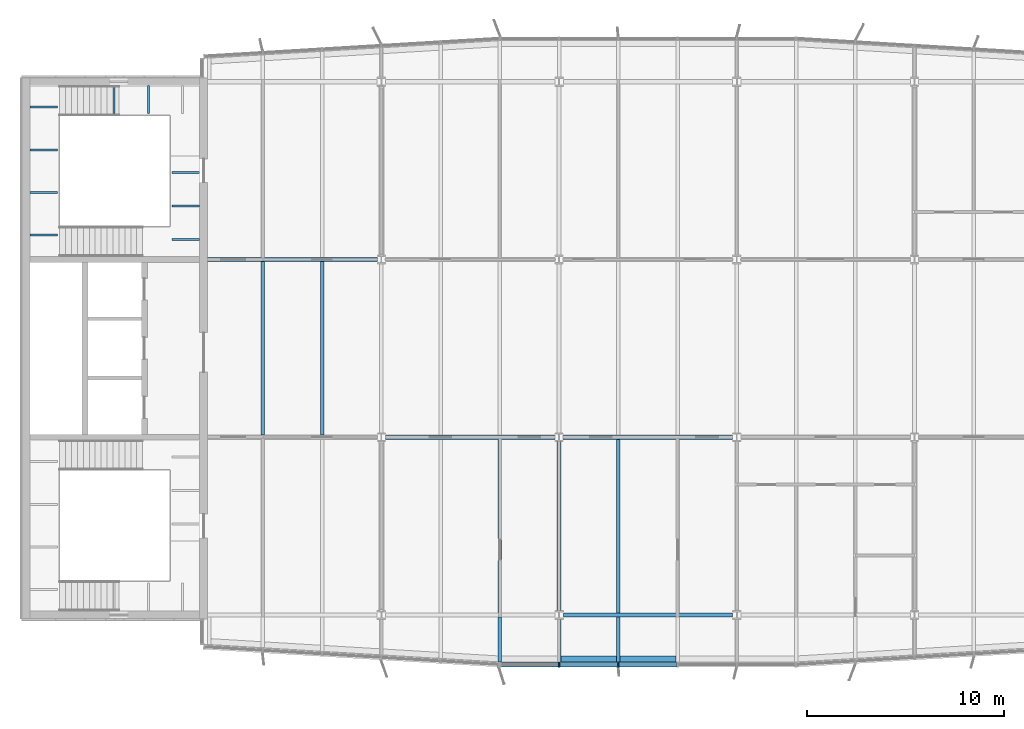
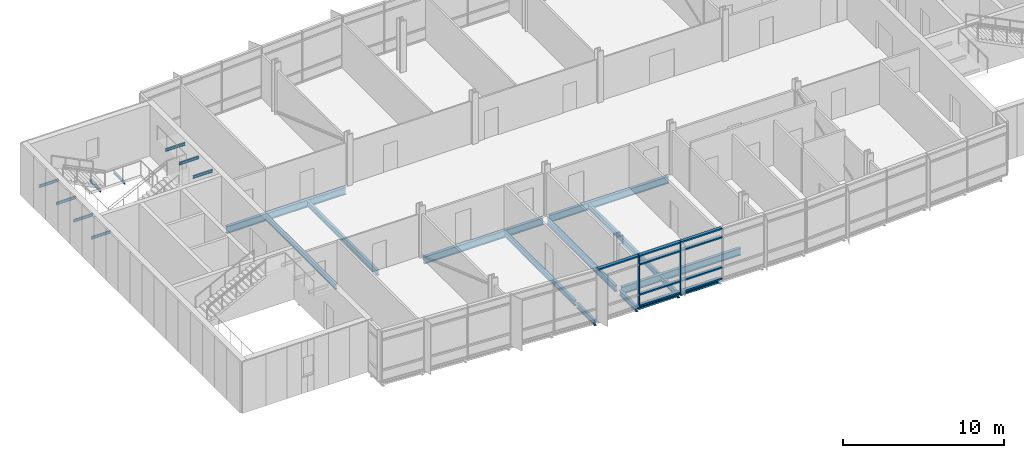
# One storey, part 3 of 17: 23 beams, 11 members, 1 element without a shape of its own.
"""IFC4 building model written with IfcOpenShell, lengths in metres."""

import ifcopenshell
import ifcopenshell.guid

model = None  # the IFC model being written
_history = None  # IfcOwnerHistory: only IFC2X3 demands one
_inside = {}  # id of a spatial element -> (the spatial element, [elements in it])
_under = {}  # id of a project, library or spatial element -> (it, [spatial elements below it])
_declared = {}  # id of a project -> (the project, [libraries it declares])
_typed = {}  # id of a type object -> (the type object, [elements of that type])
_made_of = {}  # id of a material, layer set ... -> (it, [elements and type objects made of it])


def new_model(schema):
    """Start an empty IFC model of exactly this schema.

    Asked for "IFC4X3", IfcOpenShell would pick the latest addendum, in which some entities
    have other attributes; the version numbers below select the first issue.
    IFC2X3 requires an IfcOwnerHistory on every rooted entity: one is made here for all.
    """
    global model, _history
    if schema == "IFC4X3":
        model = ifcopenshell.file(schema_version=(4, 3, 0, 0))
    else:
        model = ifcopenshell.file(schema=schema)
    _inside.clear()
    _under.clear()
    _declared.clear()
    _typed.clear()
    _made_of.clear()
    _history = None
    if model.schema == "IFC2X3":
        org = make("IfcOrganization", Name="unknown")
        user = make(
            "IfcPersonAndOrganization",
            ThePerson=make("IfcPerson", FamilyName="unknown"),
            TheOrganization=org,
        )
        app = make(
            "IfcApplication",
            ApplicationDeveloper=org,
            Version="unknown",
            ApplicationFullName="unknown",
            ApplicationIdentifier="unknown",
        )
        _history = make(
            "IfcOwnerHistory",
            OwningUser=user,
            OwningApplication=app,
            ChangeAction="ADDED",
            CreationDate=0,
        )
    return model


def make(cls, **values):
    """One entity of the class cls with the attributes given. An attribute that is None is left unset."""
    return model.create_entity(
        cls, **{name: value for name, value in values.items() if value is not None}
    )


def rooted(cls, **values):
    """An entity with a GlobalId (a new one), such as an element, a storey or a relation."""
    return make(cls, GlobalId=ifcopenshell.guid.new(), OwnerHistory=_history, **values)


def si_unit(unit_type, name, prefix=None):
    """IfcSIUnit, for example si_unit("LENGTHUNIT", "METRE", prefix="MILLI")."""
    return make("IfcSIUnit", UnitType=unit_type, Prefix=prefix, Name=name)


def assignment(units):
    """IfcUnitAssignment: the units of a project."""
    return None if units is None else make("IfcUnitAssignment", Units=units)


def point(xyz):
    """IfcCartesianPoint."""
    return None if xyz is None else make("IfcCartesianPoint", Coordinates=xyz)


def direction(xyz):
    """IfcDirection."""
    return None if xyz is None else make("IfcDirection", DirectionRatios=xyz)


def frame(location, z_axis=None, x_axis=None):
    """IfcAxis2Placement3D, a coordinate frame: its origin and axes. An axis left out is left unset."""
    return make(
        "IfcAxis2Placement3D",
        Location=point(location),
        Axis=direction(z_axis),
        RefDirection=direction(x_axis),
    )


def frame_2d(location, x_axis=None):
    """IfcAxis2Placement2D, a coordinate frame in the plane: its origin and x axis."""
    return make(
        "IfcAxis2Placement2D", Location=point(location), RefDirection=direction(x_axis)
    )


def origin():
    """The frame at (0, 0, 0) with its axes left unset."""
    return frame((0.0, 0.0, 0.0))


def origin_2d():
    """The frame at (0, 0) in the plane with its x axis left unset."""
    return frame_2d((0.0, 0.0))


def place(relative_to, where):
    """IfcLocalPlacement: puts the frame where relative to a parent placement (None: the world)."""
    return make(
        "IfcLocalPlacement", PlacementRelTo=relative_to, RelativePlacement=where
    )


def context(
    kind, dimensions, precision=None, world=None, true_north=None, identifier=None
):
    """IfcGeometricRepresentationContext, for example the 3D "Model" context."""
    return make(
        "IfcGeometricRepresentationContext",
        ContextIdentifier=identifier,
        ContextType=kind,
        CoordinateSpaceDimension=dimensions,
        Precision=precision,
        WorldCoordinateSystem=world,
        TrueNorth=true_north,
    )


def subcontext(parent, identifier, kind, view, scale=None):
    """IfcGeometricRepresentationSubContext, for example "Body" below "Model"."""
    return make(
        "IfcGeometricRepresentationSubContext",
        ContextIdentifier=identifier,
        ContextType=kind,
        ParentContext=parent,
        TargetScale=scale,
        TargetView=view,
    )


def project(units=None, contexts=None):
    """IfcProject with its units and contexts."""
    return rooted(
        "IfcProject",
        Name="project",
        RepresentationContexts=contexts,
        UnitsInContext=assignment(units),
    )


def spatial(cls, under=None, at=None, **own):
    """A site, building, storey or space (cls), placed at a placement, below another one or the project."""
    s = rooted(cls, ObjectPlacement=at, **own)
    if under is not None:
        _under.setdefault(under.id(), (under, []))[1].append(s)
    return s


def profile(cls, at=None, kind="AREA", **sizes):
    """A parametric profile (cls). Its sizes go by their IFC names, for example OverallWidth=200.0."""
    return make(cls, ProfileType=kind, Position=at, **sizes)


def rectangle(**sizes):
    """IfcRectangleProfileDef."""
    return profile("IfcRectangleProfileDef", **sizes)


def i_section(**sizes):
    """IfcIShapeProfileDef."""
    return profile("IfcIShapeProfileDef", **sizes)


def extrude(swept, where, along, depth):
    """IfcExtrudedAreaSolid: the profile swept, set in the frame where, extruded along a direction by depth."""
    return make(
        "IfcExtrudedAreaSolid",
        SweptArea=swept,
        Position=where,
        ExtrudedDirection=direction(along),
        Depth=depth,
    )


def shape(context_of_items, identifier, shape_type, items):
    """IfcShapeRepresentation: the items that make up one representation, for example the "Body"."""
    return make(
        "IfcShapeRepresentation",
        ContextOfItems=context_of_items,
        RepresentationIdentifier=identifier,
        RepresentationType=shape_type,
        Items=items,
    )


def material(Name=None, Category=None):
    """IfcMaterial."""
    return make("IfcMaterial", Name=Name, Category=Category)


def material_profile(
    of_material, cross_section, Name=None, Category=None, Priority=None
):
    """IfcMaterialProfile: a cross section and its material."""
    return make(
        "IfcMaterialProfile",
        Name=Name,
        Material=of_material,
        Profile=cross_section,
        Priority=Priority,
        Category=Category,
    )


def profile_set(profiles, Name=None, composite=None):
    """IfcMaterialProfileSet."""
    return make(
        "IfcMaterialProfileSet",
        Name=Name,
        MaterialProfiles=profiles,
        CompositeProfile=composite,
    )


def made_of(thing, what):
    """Note that an element or type object is made of a material, layer set ...; save() writes the relation."""
    if what is not None:
        _made_of.setdefault(what.id(), (what, []))[1].append(thing)
    return thing


def type_object(cls, material=None, **own):
    """A type object (cls), such as IfcWallType, which elements share."""
    return made_of(rooted(cls, **own), material)


def element(
    cls,
    number,
    at=None,
    inside=None,
    cuts=None,
    type_object=None,
    material=None,
    context=None,
    identifier="Body",
    shape_type=None,
    held_by="IfcProductDefinitionShape",
    body=None,
    shapes=None,
    **own,
):
    """One element of the class cls, such as IfcWall. Its Tag is "e" and its number.

    at: its placement. inside: the storey or other place that contains it. cuts: it is an
    opening in that element (IfcRelVoidsElement). A single representation is given by context,
    identifier, shape_type and body (its items); several are given by shapes. held_by: the class
    of the entity that holds the representations. save() writes the other relations.
    """
    e = rooted(cls, Tag="e%d" % number, ObjectPlacement=at, **own)
    if body is not None:
        shapes = [shape(context, identifier, shape_type, body)]
    if shapes is not None:
        e.Representation = make(held_by, Representations=shapes)
    if inside is not None:
        _inside.setdefault(inside.id(), (inside, []))[1].append(e)
    if cuts is not None:
        rooted(
            "IfcRelVoidsElement", RelatingBuildingElement=cuts, RelatedOpeningElement=e
        )
    if type_object is not None:
        _typed.setdefault(type_object.id(), (type_object, []))[1].append(e)
    return made_of(e, material)


def aggregate(whole, parts):
    """IfcRelAggregates: a whole, such as a stair, and the parts it consists of."""
    return rooted("IfcRelAggregates", RelatingObject=whole, RelatedObjects=parts)


def save(model, path):
    """Write the relations noted so far, then the file.

    IfcRelAggregates (storeys below a building ...), IfcRelContainedInSpatialStructure (elements
    in a storey), IfcRelDefinesByType, IfcRelAssociatesMaterial and IfcRelDeclares: one each for
    every whole, place, type object, material and project.
    """
    for whole, parts in _under.values():
        aggregate(whole, parts)
    for where, things in _inside.values():
        rooted(
            "IfcRelContainedInSpatialStructure",
            RelatedElements=things,
            RelatingStructure=where,
        )
    for kind, things in _typed.values():
        rooted("IfcRelDefinesByType", RelatedObjects=things, RelatingType=kind)
    for what, things in _made_of.values():
        rooted("IfcRelAssociatesMaterial", RelatedObjects=things, RelatingMaterial=what)
    for by, libraries in _declared.values():
        rooted("IfcRelDeclares", RelatingContext=by, RelatedDefinitions=libraries)
    model.write(path)


model = new_model("IFC4")

# Units and contexts
model_context = context("Model", 3, precision=1e-05, world=origin(), true_north=direction((0.0, 1.0)))
body_context = subcontext(model_context, "Body", "Model", "MODEL_VIEW")
ifc_project = project(units=[si_unit("LENGTHUNIT", "METRE"), si_unit("AREAUNIT", "SQUARE_METRE"), si_unit("VOLUMEUNIT", "CUBIC_METRE"), si_unit("PLANEANGLEUNIT", "RADIAN"), si_unit("MASSUNIT", "GRAM", prefix="KILO")], contexts=[model_context])

# Site, building, storey
site_placement = place(None, origin())
site = spatial("IfcSite", under=ifc_project, at=site_placement, CompositionType="ELEMENT")
building_placement = place(site_placement, origin())
building = spatial("IfcBuilding", under=site, at=building_placement, Name="Azimuth Sports and Learning Centre", CompositionType="ELEMENT")
storey_placement = place(building_placement, frame((0.0, 0.0, 36.300048828125)))
storey = spatial("IfcBuildingStorey", under=building, at=storey_placement, Name="L07", CompositionType="ELEMENT", Elevation=36.300048828125)

# Beams
ifc_material_1 = material(Name="Steel S355", Category="steel")
ifc_material_profile_1 = material_profile(ifc_material_1, i_section(OverallWidth=0.10009765625, OverallDepth=0.199951171875, WebThickness=0.005615234375, FlangeThickness=0.008544921875, FilletRadius=0.011962890625, at=origin_2d()), Name="IPE 200")
ifc_profile_set_1 = profile_set([ifc_material_profile_1], Name="Steel S355")
beam_type_1 = type_object("IfcBeamType", Name="Beam IPE 200", PredefinedType="BEAM", material=ifc_profile_set_1)
for number, where, z_axis, x_axis, name in (
    (1, (58.473388671875, 116.800048828125, -0.300048828125), (0.0, -1.0, 0.0), (1.0, 0.0, 0.0), "Landing bracket W2 L07 247"),
    (2, (60.199951171875, 116.800048828125, -0.300048828125), (0.0, -1.0, 0.0), (1.0, 0.0, 0.0), "Landing bracket W2 L07 248"),
    (3, (54.199951171875, 109.23876953125, 1.349853515625), (1.0, 0.0, 0.0), (0.0, 1.0, 0.0), "Landing bracket W2 L07 250"),
    (4, (54.199951171875, 111.396240234375, 1.349853515625), (1.0, 0.0, 0.0), (0.0, 1.0, 0.0), "Landing bracket W2 L07 251"),
    (5, (54.199951171875, 113.5537109375, 1.349853515625), (1.0, 0.0, 0.0), (0.0, 1.0, 0.0), "Landing bracket W2 L07 252"),
    (6, (54.199951171875, 115.711181640625, 1.349853515625), (1.0, 0.0, 0.0), (0.0, 1.0, 0.0), "Landing bracket W2 L07 253"),
    (7, (62.800048828125, 109.00830078125, 3.599853515625), (-1.0, 0.0, 0.0), (0.0, -1.0, 0.0), "Landing bracket W2 L07 254"),
    (8, (62.800048828125, 110.705078125, 3.599853515625), (-1.0, 0.0, 0.0), (0.0, -1.0, 0.0), "Landing bracket W2 L07 255"),
    (9, (62.800048828125, 112.401611328125, 3.599853515625), (-1.0, 0.0, 0.0), (0.0, -1.0, 0.0), "Landing bracket W2 L07 256"),
):
    element("IfcBeam", number, at=place(storey_placement, frame(where, z_axis=z_axis, x_axis=x_axis)), inside=storey, type_object=beam_type_1, Name=name, PredefinedType="BEAM", context=body_context, shape_type="SweptSolid", body=[
        extrude(i_section(OverallWidth=0.10009765625, OverallDepth=0.199951171875, WebThickness=0.005615234375, FlangeThickness=0.008544921875, FilletRadius=0.011962890625, at=origin_2d()), origin(), (0.0, 0.0, 1.0), 1.41015625),
    ])
ifc_material_2 = material(Name="Steel S355", Category="steel")
ifc_material_profile_2 = material_profile(ifc_material_2, i_section(OverallWidth=0.18994140625, OverallDepth=0.449951171875, WebThickness=0.009521484375, FlangeThickness=0.0146484375, FilletRadius=0.02099609375, at=origin_2d()), Name="IPE 450")
ifc_profile_set_2 = profile_set([ifc_material_profile_2], Name="Steel S355")
beam_type_2 = type_object("IfcBeamType", Name="Beam IPE 450", PredefinedType="BEAM", material=ifc_profile_set_2)
beam_1_placement = place(storey_placement, frame((81.0, 90.237060546875, -0.35498046875), z_axis=(0.0, 1.0, 0.0), x_axis=(-1.0, 0.0, 0.0)))
element("IfcBeam", 10, at=beam_1_placement, inside=storey, type_object=beam_type_2, Name="Tower tie", PredefinedType="BEAM", context=body_context, shape_type="SweptSolid", body=[
    extrude(i_section(OverallWidth=0.18994140625, OverallDepth=0.449951171875, WebThickness=0.009521484375, FlangeThickness=0.0146484375, FilletRadius=0.02099609375, at=origin_2d()), origin(), (0.0, 0.0, 1.0), 8.54541015625),
])
ifc_material_3 = material(Name="Steel S355", Category="steel")
ifc_material_profile_3 = material_profile(ifc_material_3, i_section(OverallWidth=0.2099609375, OverallDepth=0.550048828125, WebThickness=0.010986328125, FlangeThickness=0.01708984375, FilletRadius=0.02392578125, at=origin_2d()), Name="IPE 550")
ifc_profile_set_3 = profile_set([ifc_material_profile_3], Name="Steel S355")
beam_type_3 = type_object("IfcBeamType", Name="Beam IPE 550", PredefinedType="BEAM", material=ifc_profile_set_3)
beam_2_placement = place(storey_placement, frame((81.2119140625, 90.0, -0.405029296875), z_axis=(1.0, 0.0, 0.0), x_axis=(0.0, 1.0, 0.0)))
element("IfcBeam", 11, at=beam_2_placement, inside=storey, type_object=beam_type_3, Name="Tower girder L07", PredefinedType="BEAM", context=body_context, shape_type="SweptSolid", body=[
    extrude(i_section(OverallWidth=0.2099609375, OverallDepth=0.550048828125, WebThickness=0.010986328125, FlangeThickness=0.01708984375, FilletRadius=0.02392578125, at=origin_2d()), origin(), (0.0, 0.0, 1.0), 8.576171875),
])
for number, where, z_axis, x_axis, name in (
    (12, (72.2060546875, 99.0, -0.405029296875), (1.0, 0.0, 0.0), (0.0, 1.0, 0.0), "Tower girder L07"),
    (13, (81.2060546875, 99.0, -0.405029296875), (1.0, 0.0, 0.0), (0.0, 1.0, 0.0), "Tower girder L07"),
):
    element("IfcBeam", number, at=place(storey_placement, frame(where, z_axis=z_axis, x_axis=x_axis)), inside=storey, type_object=beam_type_3, Name=name, PredefinedType="BEAM", context=body_context, shape_type="SweptSolid", body=[
        extrude(i_section(OverallWidth=0.2099609375, OverallDepth=0.550048828125, WebThickness=0.010986328125, FlangeThickness=0.01708984375, FilletRadius=0.02392578125, at=origin_2d()), origin(), (0.0, 0.0, 1.0), 8.587890625),
    ])
beam_3_placement = place(storey_placement, frame((63.199951171875, 108.0, -0.405029296875), z_axis=(1.0, 0.0, 0.0), x_axis=(0.0, 1.0, 0.0)))
element("IfcBeam", 14, at=beam_3_placement, inside=storey, type_object=beam_type_3, Name="Tower girder L07", PredefinedType="BEAM", context=body_context, shape_type="SweptSolid", body=[
    extrude(i_section(OverallWidth=0.2099609375, OverallDepth=0.550048828125, WebThickness=0.010986328125, FlangeThickness=0.01708984375, FilletRadius=0.02392578125, at=origin_2d()), origin(), (0.0, 0.0, 1.0), 8.593994140625),
])
ifc_material_4 = material(Name="Steel S355", Category="steel")
ifc_material_profile_4 = material_profile(ifc_material_4, i_section(OverallWidth=0.179931640625, OverallDepth=0.39990234375, WebThickness=0.008544921875, FlangeThickness=0.013427734375, FilletRadius=0.02099609375, at=origin_2d()), Name="IPE 400")
ifc_profile_set_4 = profile_set([ifc_material_profile_4], Name="Steel S355")
beam_type_4 = type_object("IfcBeamType", Name="Cantilever stub IPE 400", PredefinedType="JOIST", material=ifc_profile_set_4)
beam_4_placement = place(storey_placement, frame((78.0, 89.89501953125, -0.330078125), z_axis=(0.0, -1.0, 0.0), x_axis=(1.0, 0.0, 0.0)))
element("IfcBeam", 15, at=beam_4_placement, inside=storey, type_object=beam_type_4, Name="Tower cantilever stub", PredefinedType="JOIST", context=body_context, shape_type="SweptSolid", body=[
    extrude(i_section(OverallWidth=0.179931640625, OverallDepth=0.39990234375, WebThickness=0.008544921875, FlangeThickness=0.013427734375, FilletRadius=0.02099609375, at=origin_2d()), origin(), (0.0, 0.0, 1.0), 2.27490234375),
])
beam_5_placement = place(storey_placement, frame((81.0, 89.762939453125, -0.330078125), z_axis=(0.0, -1.0, 0.0), x_axis=(1.0, 0.0, 0.0)))
element("IfcBeam", 16, at=beam_5_placement, inside=storey, type_object=beam_type_4, Name="Tower cantilever stub", PredefinedType="JOIST", context=body_context, shape_type="SweptSolid", body=[
    extrude(i_section(OverallWidth=0.179931640625, OverallDepth=0.39990234375, WebThickness=0.008544921875, FlangeThickness=0.013427734375, FilletRadius=0.02099609375, at=origin_2d()), origin(), (0.0, 0.0, 1.0), 2.142822265625),
])
beam_6_placement = place(storey_placement, frame((84.0, 89.89501953125, -0.330078125), z_axis=(0.0, -1.0, 0.0), x_axis=(1.0, 0.0, 0.0)))
element("IfcBeam", 17, at=beam_6_placement, inside=storey, type_object=beam_type_4, Name="Tower cantilever stub", PredefinedType="JOIST", context=body_context, shape_type="SweptSolid", body=[
    extrude(i_section(OverallWidth=0.179931640625, OverallDepth=0.39990234375, WebThickness=0.008544921875, FlangeThickness=0.013427734375, FilletRadius=0.02099609375, at=origin_2d()), origin(), (0.0, 0.0, 1.0), 2.27490234375),
])
ifc_material_5 = material(Name="Steel S355", Category="steel")
ifc_material_profile_5 = material_profile(ifc_material_5, i_section(OverallWidth=0.300048828125, OverallDepth=0.2900390625, WebThickness=0.008544921875, FlangeThickness=0.013916015625, FilletRadius=0.027099609375, at=origin_2d()), Name="HEA 300")
ifc_profile_set_5 = profile_set([ifc_material_profile_5], Name="Steel S355")
beam_type_5 = type_object("IfcBeamType", Name="Edge beam HEA 300", PredefinedType="SPANDREL", material=ifc_profile_set_5)
for number, where, z_axis, x_axis, name in (
    (18, (81.090087890625, 87.77001953125, -0.275146484375), (1.0, 0.0, 0.0), (0.0, 1.0, 0.0), "Tower edge beam"),
    (19, (84.090087890625, 87.77001953125, -0.275146484375), (1.0, 0.0, 0.0), (0.0, 1.0, 0.0), "Tower edge beam"),
):
    element("IfcBeam", number, at=place(storey_placement, frame(where, z_axis=z_axis, x_axis=x_axis)), inside=storey, type_object=beam_type_5, Name=name, PredefinedType="SPANDREL", context=body_context, shape_type="SweptSolid", body=[
        extrude(i_section(OverallWidth=0.300048828125, OverallDepth=0.2900390625, WebThickness=0.008544921875, FlangeThickness=0.013916015625, FilletRadius=0.027099609375, at=origin_2d()), origin(), (0.0, 0.0, 1.0), 2.81982421875),
    ])
ifc_material_6 = material(Name="Steel S355", Category="steel")
ifc_material_profile_6 = material_profile(ifc_material_6, i_section(OverallWidth=0.179931640625, OverallDepth=0.39990234375, WebThickness=0.008544921875, FlangeThickness=0.013427734375, FilletRadius=0.02099609375, at=origin_2d()), Name="IPE 400")
ifc_profile_set_6 = profile_set([ifc_material_profile_6], Name="Steel S355")
beam_type_6 = type_object("IfcBeamType", Name="Joist IPE 400", PredefinedType="JOIST", material=ifc_profile_set_6)
for number, where, z_axis, x_axis, name in (
    (20, (66.0, 99.10498046875, -0.330078125), (0.0, 1.0, 0.0), (-1.0, 0.0, 0.0), "Tower joist"),
    (21, (69.0, 99.10498046875, -0.330078125), (0.0, 1.0, 0.0), (-1.0, 0.0, 0.0), "Tower joist"),
    (22, (78.0, 90.10498046875, -0.330078125), (0.0, 1.0, 0.0), (-1.0, 0.0, 0.0), "Tower joist"),
    (23, (84.0, 90.10498046875, -0.330078125), (0.0, 1.0, 0.0), (-1.0, 0.0, 0.0), "Tower joist"),
):
    element("IfcBeam", number, at=place(storey_placement, frame(where, z_axis=z_axis, x_axis=x_axis)), inside=storey, type_object=beam_type_6, Name=name, PredefinedType="JOIST", context=body_context, shape_type="SweptSolid", body=[
        extrude(i_section(OverallWidth=0.179931640625, OverallDepth=0.39990234375, WebThickness=0.008544921875, FlangeThickness=0.013427734375, FilletRadius=0.02099609375, at=origin_2d()), origin(), (0.0, 0.0, 1.0), 8.7900390625),
    ])

# Curtain wall, members
ifc_material_7 = material(Name="Aluminium and glass", Category="aluminium")
curtain_wall_type = type_object("IfcCurtainWallType", Name="Curtain wall tower south 240", PredefinedType="NOTDEFINED", material=ifc_material_7)
curtain_wall_placement = place(storey_placement, origin())
curtain_wall = element("IfcCurtainWall", 24, at=curtain_wall_placement, inside=storey, type_object=curtain_wall_type, Name="Curtain wall CW07-003", PredefinedType="NOTDEFINED")
ifc_material_8 = material(Name="Aluminium", Category="aluminium")
ifc_material_profile_7 = material_profile(ifc_material_8, rectangle(XDim=0.239990234375, YDim=0.070068359375, at=origin_2d()), Name="Mullion 70x240")
ifc_profile_set_7 = profile_set([ifc_material_profile_7], Name="Aluminium")
member_type_1 = type_object("IfcMemberType", Name="Mullion 70x240", PredefinedType="MULLION", material=ifc_profile_set_7)
member_1_placement = place(storey_placement, frame((81.0, 87.47998046875, 0.0), z_axis=(0.0, 0.0, 1.0), x_axis=(0.0, 1.0, 0.0)))
member_1 = element("IfcMember", 25, at=member_1_placement, type_object=member_type_1, Name="CW07-003 mullion 2", PredefinedType="MULLION", context=body_context, shape_type="SweptSolid", body=[
    extrude(rectangle(XDim=0.239990234375, YDim=0.070068359375, at=origin_2d()), origin(), (0.0, 0.0, 1.0), 3.89990234375),
])
member_2_placement = place(storey_placement, frame((84.0, 87.47998046875, 0.0), z_axis=(0.0, 0.0, 1.0), x_axis=(0.0, 1.0, 0.0)))
member_2 = element("IfcMember", 26, at=member_2_placement, type_object=member_type_1, Name="CW07-003 mullion 3", PredefinedType="MULLION", context=body_context, shape_type="SweptSolid", body=[
    extrude(rectangle(XDim=0.239990234375, YDim=0.070068359375, at=origin_2d()), origin(), (0.0, 0.0, 1.0), 3.89990234375),
])
ifc_material_9 = material(Name="Aluminium", Category="aluminium")
ifc_material_profile_8 = material_profile(ifc_material_9, rectangle(XDim=0.239990234375, YDim=0.10009765625, at=origin_2d()), Name="Transom 100x240")
ifc_profile_set_8 = profile_set([ifc_material_profile_8], Name="Aluminium")
member_type_2 = type_object("IfcMemberType", Name="Transom 100x240", PredefinedType="USERDEFINED", material=ifc_profile_set_8)
member_3_placement = place(storey_placement, frame((78.062744140625, 87.47998046875, 3.849853515625), z_axis=(1.0, 0.0, 0.0), x_axis=(0.0, 1.0, 0.0)))
member_3 = element("IfcMember", 27, at=member_3_placement, type_object=member_type_2, Name="CW07-003 transom 1.4", ObjectType="TRANSOM", PredefinedType="USERDEFINED", context=body_context, shape_type="SweptSolid", body=[
    extrude(rectangle(XDim=0.239990234375, YDim=0.10009765625, at=origin_2d()), origin(), (0.0, 0.0, 1.0), 2.90234375),
])
member_4_placement = place(storey_placement, frame((81.034912109375, 87.47998046875, 0.050048828125), z_axis=(1.0, 0.0, 0.0), x_axis=(0.0, 1.0, 0.0)))
member_4 = element("IfcMember", 28, at=member_4_placement, type_object=member_type_2, Name="CW07-003 transom 2.1", ObjectType="TRANSOM", PredefinedType="USERDEFINED", context=body_context, shape_type="SweptSolid", body=[
    extrude(rectangle(XDim=0.239990234375, YDim=0.10009765625, at=origin_2d()), origin(), (0.0, 0.0, 1.0), 2.93017578125),
])
member_5_placement = place(storey_placement, frame((81.034912109375, 87.47998046875, 0.89990234375), z_axis=(1.0, 0.0, 0.0), x_axis=(0.0, 1.0, 0.0)))
member_5 = element("IfcMember", 29, at=member_5_placement, type_object=member_type_2, Name="CW07-003 transom 2.2", ObjectType="TRANSOM", PredefinedType="USERDEFINED", context=body_context, shape_type="SweptSolid", body=[
    extrude(rectangle(XDim=0.239990234375, YDim=0.10009765625, at=origin_2d()), origin(), (0.0, 0.0, 1.0), 2.93017578125),
])
member_6_placement = place(storey_placement, frame((81.034912109375, 87.47998046875, 3.199951171875), z_axis=(1.0, 0.0, 0.0), x_axis=(0.0, 1.0, 0.0)))
member_6 = element("IfcMember", 30, at=member_6_placement, type_object=member_type_2, Name="CW07-003 transom 2.3", ObjectType="TRANSOM", PredefinedType="USERDEFINED", context=body_context, shape_type="SweptSolid", body=[
    extrude(rectangle(XDim=0.239990234375, YDim=0.10009765625, at=origin_2d()), origin(), (0.0, 0.0, 1.0), 2.93017578125),
])
member_7_placement = place(storey_placement, frame((81.034912109375, 87.47998046875, 3.849853515625), z_axis=(1.0, 0.0, 0.0), x_axis=(0.0, 1.0, 0.0)))
member_7 = element("IfcMember", 31, at=member_7_placement, type_object=member_type_2, Name="CW07-003 transom 2.4", ObjectType="TRANSOM", PredefinedType="USERDEFINED", context=body_context, shape_type="SweptSolid", body=[
    extrude(rectangle(XDim=0.239990234375, YDim=0.10009765625, at=origin_2d()), origin(), (0.0, 0.0, 1.0), 2.93017578125),
])
member_8_placement = place(storey_placement, frame((84.034912109375, 87.47998046875, 0.050048828125), z_axis=(1.0, 0.0, 0.0), x_axis=(0.0, 1.0, 0.0)))
member_8 = element("IfcMember", 32, at=member_8_placement, type_object=member_type_2, Name="CW07-003 transom 3.1", ObjectType="TRANSOM", PredefinedType="USERDEFINED", context=body_context, shape_type="SweptSolid", body=[
    extrude(rectangle(XDim=0.239990234375, YDim=0.10009765625, at=origin_2d()), origin(), (0.0, 0.0, 1.0), 2.93017578125),
])
member_9_placement = place(storey_placement, frame((84.034912109375, 87.47998046875, 0.89990234375), z_axis=(1.0, 0.0, 0.0), x_axis=(0.0, 1.0, 0.0)))
member_9 = element("IfcMember", 33, at=member_9_placement, type_object=member_type_2, Name="CW07-003 transom 3.2", ObjectType="TRANSOM", PredefinedType="USERDEFINED", context=body_context, shape_type="SweptSolid", body=[
    extrude(rectangle(XDim=0.239990234375, YDim=0.10009765625, at=origin_2d()), origin(), (0.0, 0.0, 1.0), 2.93017578125),
])
member_10_placement = place(storey_placement, frame((84.034912109375, 87.47998046875, 3.199951171875), z_axis=(1.0, 0.0, 0.0), x_axis=(0.0, 1.0, 0.0)))
member_10 = element("IfcMember", 34, at=member_10_placement, type_object=member_type_2, Name="CW07-003 transom 3.3", ObjectType="TRANSOM", PredefinedType="USERDEFINED", context=body_context, shape_type="SweptSolid", body=[
    extrude(rectangle(XDim=0.239990234375, YDim=0.10009765625, at=origin_2d()), origin(), (0.0, 0.0, 1.0), 2.93017578125),
])
member_11_placement = place(storey_placement, frame((84.034912109375, 87.47998046875, 3.849853515625), z_axis=(1.0, 0.0, 0.0), x_axis=(0.0, 1.0, 0.0)))
member_11 = element("IfcMember", 35, at=member_11_placement, type_object=member_type_2, Name="CW07-003 transom 3.4", ObjectType="TRANSOM", PredefinedType="USERDEFINED", context=body_context, shape_type="SweptSolid", body=[
    extrude(rectangle(XDim=0.239990234375, YDim=0.10009765625, at=origin_2d()), origin(), (0.0, 0.0, 1.0), 2.93017578125),
])
aggregate(curtain_wall, [member_1, member_2, member_3, member_4, member_5, member_6, member_7, member_8, member_9, member_10, member_11])

save(model, "model.ifc")
